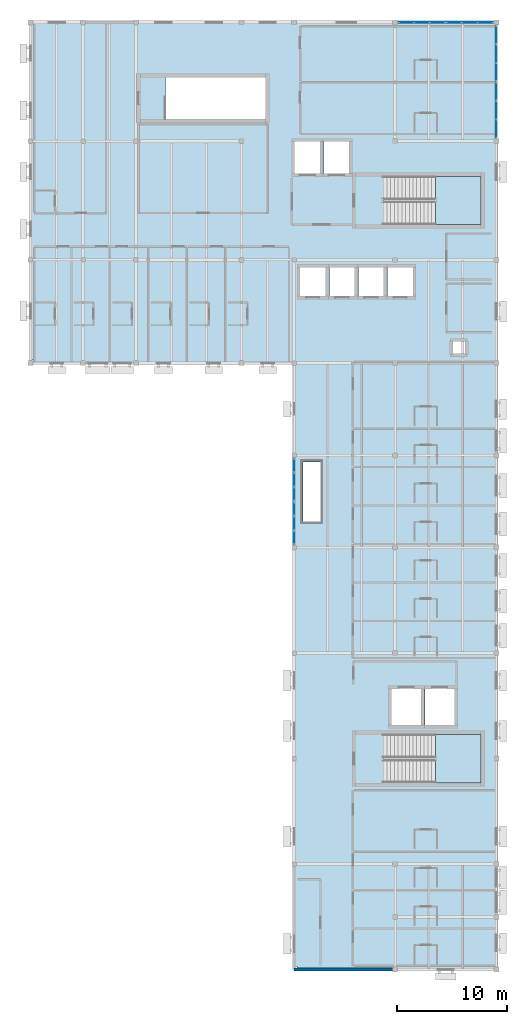
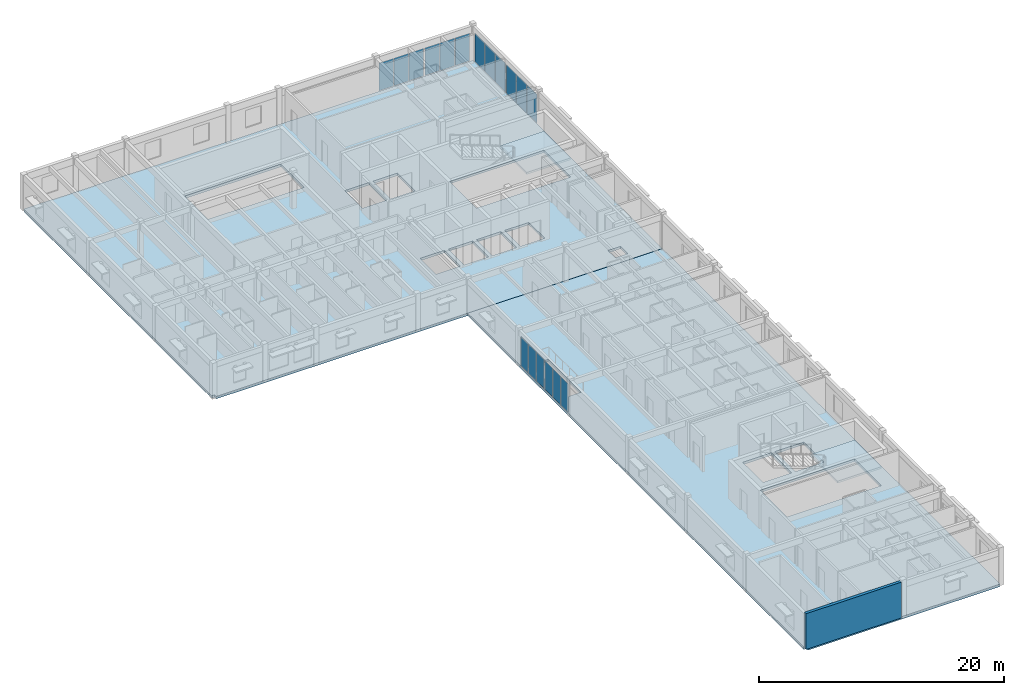
# One storey, part 5 of 17: 18 plates, 4 slabs, 1 wall, 8 elements without a shape of their own.
"""IFC4 building model written with IfcOpenShell, lengths in metres."""

from ifc_helpers import new_model, si_unit, direction, frame, frame_2d, origin, origin_2d, place, context, subcontext, project, spatial, polyline, rectangle, outline, extrude, material, layer, layer_set, type_object, element, aggregate, save


model = new_model("IFC4")

# Units and contexts
model_context = context("Model", 3, precision=1e-05, world=origin(), true_north=direction((0.0, 1.0)))
body_context = subcontext(model_context, "Body", "Model", "MODEL_VIEW")
ifc_project = project(units=[si_unit("LENGTHUNIT", "METRE"), si_unit("AREAUNIT", "SQUARE_METRE"), si_unit("VOLUMEUNIT", "CUBIC_METRE"), si_unit("PLANEANGLEUNIT", "RADIAN"), si_unit("MASSUNIT", "GRAM", prefix="KILO")], contexts=[model_context])

# Site, building, storey
site_placement = place(None, origin())
site = spatial("IfcSite", under=ifc_project, at=site_placement, CompositionType="ELEMENT")
building_placement = place(site_placement, origin())
building = spatial("IfcBuilding", under=site, at=building_placement, Name="Veldera Park Congress Hotel", CompositionType="ELEMENT")
storey_placement = place(building_placement, frame((0.0, 0.0, 35.199951171875)))
storey = spatial("IfcBuildingStorey", under=building, at=storey_placement, Name="L08", CompositionType="ELEMENT", Elevation=35.199951171875)

# Curtain wall, plates
ifc_material_1 = material(Name="Low-E Triple Insulating Glass Unit (SHGC 0.22)", Category="glass")
curtain_wall_type = type_object("IfcCurtainWallType", Name="CW-HTL", PredefinedType="NOTDEFINED", material=ifc_material_1)
curtain_wall_1_placement = place(storey_placement, origin())
curtain_wall_1 = element("IfcCurtainWall", 1, at=curtain_wall_1_placement, inside=storey, type_object=curtain_wall_type, Name="L08 Curtain Wall CW3-HTLNE-L08-116", PredefinedType="NOTDEFINED")
ifc_layer_1 = layer(ifc_material_1, 0.028076171875)
ifc_layer_set_1 = layer_set([ifc_layer_1], Name="Low-E Triple Insulating Glass Unit (SHGC 0.22)")
plate_type = type_object("IfcPlateType", Name="CWP-IGU28", PredefinedType="CURTAIN_PANEL", material=ifc_layer_set_1)
plate_1_placement = place(storey_placement, frame((84.0, 48.333251953125, 0.06005859375), z_axis=(0.0, 0.0, 1.0), x_axis=(0.0, 1.0, 0.0)))
plate_1 = element("IfcPlate", 2, at=plate_1_placement, type_object=plate_type, Name="CW-HTL panel 1.1", PredefinedType="CURTAIN_PANEL", context=body_context, shape_type="SweptSolid", body=[
    extrude(rectangle(XDim=1.61669921875, YDim=0.028076171875, at=origin_2d()), origin(), (0.0, 0.0, 1.0), 2.860107421875),
])
plate_2_placement = place(storey_placement, frame((84.0, 50.02490234375, 0.06005859375), z_axis=(0.0, 0.0, 1.0), x_axis=(0.0, 1.0, 0.0)))
plate_2 = element("IfcPlate", 3, at=plate_2_placement, type_object=plate_type, Name="CW-HTL panel 2.1", PredefinedType="CURTAIN_PANEL", context=body_context, shape_type="SweptSolid", body=[
    extrude(rectangle(XDim=1.646728515625, YDim=0.028076171875, at=origin_2d()), origin(), (0.0, 0.0, 1.0), 2.860107421875),
])
plate_3_placement = place(storey_placement, frame((84.0, 51.716552734375, 0.06005859375), z_axis=(0.0, 0.0, 1.0), x_axis=(0.0, 1.0, 0.0)))
plate_3 = element("IfcPlate", 4, at=plate_3_placement, type_object=plate_type, Name="CW-HTL panel 3.1", PredefinedType="CURTAIN_PANEL", context=body_context, shape_type="SweptSolid", body=[
    extrude(rectangle(XDim=1.61669921875, YDim=0.028076171875, at=origin_2d()), origin(), (0.0, 0.0, 1.0), 2.860107421875),
])
aggregate(curtain_wall_1, [plate_1, plate_2, plate_3])

curtain_wall_2_placement = place(storey_placement, origin())
curtain_wall_2 = element("IfcCurtainWall", 5, at=curtain_wall_2_placement, inside=storey, type_object=curtain_wall_type, Name="L08 Curtain Wall CW3-HTLNE-L08-117", PredefinedType="NOTDEFINED")
plate_4_placement = place(storey_placement, frame((84.0, 53.4833984375, 0.06005859375), z_axis=(0.0, 0.0, 1.0), x_axis=(0.0, 1.0, 0.0)))
plate_4 = element("IfcPlate", 6, at=plate_4_placement, type_object=plate_type, Name="CW-HTL panel 1.1", PredefinedType="CURTAIN_PANEL", context=body_context, shape_type="SweptSolid", body=[
    extrude(rectangle(XDim=1.61669921875, YDim=0.028076171875, at=origin_2d()), origin(), (0.0, 0.0, 1.0), 2.860107421875),
])
plate_5_placement = place(storey_placement, frame((84.0, 55.175048828125, 0.06005859375), z_axis=(0.0, 0.0, 1.0), x_axis=(0.0, 1.0, 0.0)))
plate_5 = element("IfcPlate", 7, at=plate_5_placement, type_object=plate_type, Name="CW-HTL panel 2.1", PredefinedType="CURTAIN_PANEL", context=body_context, shape_type="SweptSolid", body=[
    extrude(rectangle(XDim=1.646728515625, YDim=0.028076171875, at=origin_2d()), origin(), (0.0, 0.0, 1.0), 2.860107421875),
])
plate_6_placement = place(storey_placement, frame((84.0, 56.86669921875, 0.06005859375), z_axis=(0.0, 0.0, 1.0), x_axis=(0.0, 1.0, 0.0)))
plate_6 = element("IfcPlate", 8, at=plate_6_placement, type_object=plate_type, Name="CW-HTL panel 3.1", PredefinedType="CURTAIN_PANEL", context=body_context, shape_type="SweptSolid", body=[
    extrude(rectangle(XDim=1.61669921875, YDim=0.028076171875, at=origin_2d()), origin(), (0.0, 0.0, 1.0), 2.860107421875),
])
aggregate(curtain_wall_2, [plate_4, plate_5, plate_6])

curtain_wall_3_placement = place(storey_placement, origin())
curtain_wall_3 = element("IfcCurtainWall", 9, at=curtain_wall_3_placement, inside=storey, type_object=curtain_wall_type, Name="L08 Curtain Wall CW3-HTLNN-L08-118", PredefinedType="NOTDEFINED")
plate_7_placement = place(storey_placement, frame((83.0, 58.0, 0.06005859375), z_axis=(0.0, 0.0, 1.0), x_axis=(-1.0, 0.0, 0.0)))
plate_7 = element("IfcPlate", 10, at=plate_7_placement, type_object=plate_type, Name="CW-HTL panel 1.1", PredefinedType="CURTAIN_PANEL", context=body_context, shape_type="SweptSolid", body=[
    extrude(rectangle(XDim=1.35009765625, YDim=0.028076171875, at=origin_2d()), origin(), (0.0, 0.0, 1.0), 2.760009765625),
])
plate_8_placement = place(storey_placement, frame((81.574951171875, 58.0, 0.06005859375), z_axis=(0.0, 0.0, 1.0), x_axis=(-1.0, 0.0, 0.0)))
plate_8 = element("IfcPlate", 11, at=plate_8_placement, type_object=plate_type, Name="CW-HTL panel 2.1", PredefinedType="CURTAIN_PANEL", context=body_context, shape_type="SweptSolid", body=[
    extrude(rectangle(XDim=1.3798828125, YDim=0.028076171875, at=origin_2d()), origin(), (0.0, 0.0, 1.0), 2.760009765625),
])
plate_9_placement = place(storey_placement, frame((80.14990234375, 58.0, 0.06005859375), z_axis=(0.0, 0.0, 1.0), x_axis=(-1.0, 0.0, 0.0)))
plate_9 = element("IfcPlate", 12, at=plate_9_placement, type_object=plate_type, Name="CW-HTL panel 3.1", PredefinedType="CURTAIN_PANEL", context=body_context, shape_type="SweptSolid", body=[
    extrude(rectangle(XDim=1.35009765625, YDim=0.028076171875, at=origin_2d()), origin(), (0.0, 0.0, 1.0), 2.760009765625),
])
aggregate(curtain_wall_3, [plate_7, plate_8, plate_9])

curtain_wall_4_placement = place(storey_placement, origin())
curtain_wall_4 = element("IfcCurtainWall", 13, at=curtain_wall_4_placement, inside=storey, type_object=curtain_wall_type, Name="L08 Curtain Wall CW3-HTLNN-L08-119", PredefinedType="NOTDEFINED")
plate_10_placement = place(storey_placement, frame((78.64990234375, 58.0, 0.06005859375), z_axis=(0.0, 0.0, 1.0), x_axis=(-1.0, 0.0, 0.0)))
plate_10 = element("IfcPlate", 14, at=plate_10_placement, type_object=plate_type, Name="CW-HTL panel 1.1", PredefinedType="CURTAIN_PANEL", context=body_context, shape_type="SweptSolid", body=[
    extrude(rectangle(XDim=1.35009765625, YDim=0.028076171875, at=origin_2d()), origin(), (0.0, 0.0, 1.0), 2.760009765625),
])
plate_11_placement = place(storey_placement, frame((77.22509765625, 58.0, 0.06005859375), z_axis=(0.0, 0.0, 1.0), x_axis=(-1.0, 0.0, 0.0)))
plate_11 = element("IfcPlate", 15, at=plate_11_placement, type_object=plate_type, Name="CW-HTL panel 2.1", PredefinedType="CURTAIN_PANEL", context=body_context, shape_type="SweptSolid", body=[
    extrude(rectangle(XDim=1.3798828125, YDim=0.028076171875, at=origin_2d()), origin(), (0.0, 0.0, 1.0), 2.760009765625),
])
plate_12_placement = place(storey_placement, frame((75.800048828125, 58.0, 0.06005859375), z_axis=(0.0, 0.0, 1.0), x_axis=(-1.0, 0.0, 0.0)))
plate_12 = element("IfcPlate", 16, at=plate_12_placement, type_object=plate_type, Name="CW-HTL panel 3.1", PredefinedType="CURTAIN_PANEL", context=body_context, shape_type="SweptSolid", body=[
    extrude(rectangle(XDim=1.35009765625, YDim=0.028076171875, at=origin_2d()), origin(), (0.0, 0.0, 1.0), 2.760009765625),
])
aggregate(curtain_wall_4, [plate_10, plate_11, plate_12])

curtain_wall_5_placement = place(storey_placement, origin())
curtain_wall_5 = element("IfcCurtainWall", 17, at=curtain_wall_5_placement, inside=storey, type_object=curtain_wall_type, Name="L08 Curtain Wall CW3-HTLW-L08-120", PredefinedType="NOTDEFINED")
plate_13_placement = place(storey_placement, frame((65.60009765625, 17.675537109375, 0.074951171875), z_axis=(0.0, 0.0, 1.0), x_axis=(0.0, -1.0, 0.0)))
plate_13 = element("IfcPlate", 18, at=plate_13_placement, type_object=plate_type, Name="CW-HTL panel 1.1", PredefinedType="CURTAIN_PANEL", context=body_context, shape_type="SweptSolid", body=[
    extrude(rectangle(XDim=1.19921875, YDim=0.028076171875, at=origin_2d()), origin(), (0.0, 0.0, 1.0), 2.8701171875),
])
plate_14_placement = place(storey_placement, frame((65.60009765625, 16.382568359375, 0.074951171875), z_axis=(0.0, 0.0, 1.0), x_axis=(0.0, -1.0, 0.0)))
plate_14 = element("IfcPlate", 19, at=plate_14_placement, type_object=plate_type, Name="CW-HTL panel 2.1", PredefinedType="CURTAIN_PANEL", context=body_context, shape_type="SweptSolid", body=[
    extrude(rectangle(XDim=1.236572265625, YDim=0.028076171875, at=origin_2d()), origin(), (0.0, 0.0, 1.0), 2.8701171875),
])
plate_15_placement = place(storey_placement, frame((65.60009765625, 15.089599609375, 0.074951171875), z_axis=(0.0, 0.0, 1.0), x_axis=(0.0, -1.0, 0.0)))
plate_15 = element("IfcPlate", 20, at=plate_15_placement, type_object=plate_type, Name="CW-HTL panel 3.1", PredefinedType="CURTAIN_PANEL", context=body_context, shape_type="SweptSolid", body=[
    extrude(rectangle(XDim=1.19921875, YDim=0.028076171875, at=origin_2d()), origin(), (0.0, 0.0, 1.0), 2.8701171875),
])
aggregate(curtain_wall_5, [plate_13, plate_14, plate_15])

curtain_wall_6_placement = place(storey_placement, origin())
curtain_wall_6 = element("IfcCurtainWall", 21, at=curtain_wall_6_placement, inside=storey, type_object=curtain_wall_type, Name="L08 Curtain Wall CW3-HTLW-L08-121", PredefinedType="NOTDEFINED")
plate_16_placement = place(storey_placement, frame((65.60009765625, 13.71044921875, 0.074951171875), z_axis=(0.0, 0.0, 1.0), x_axis=(0.0, -1.0, 0.0)))
plate_16 = element("IfcPlate", 22, at=plate_16_placement, type_object=plate_type, Name="CW-HTL panel 1.1", PredefinedType="CURTAIN_PANEL", context=body_context, shape_type="SweptSolid", body=[
    extrude(rectangle(XDim=1.19921875, YDim=0.028076171875, at=origin_2d()), origin(), (0.0, 0.0, 1.0), 2.8701171875),
])
plate_17_placement = place(storey_placement, frame((65.60009765625, 12.41748046875, 0.074951171875), z_axis=(0.0, 0.0, 1.0), x_axis=(0.0, -1.0, 0.0)))
plate_17 = element("IfcPlate", 23, at=plate_17_placement, type_object=plate_type, Name="CW-HTL panel 2.1", PredefinedType="CURTAIN_PANEL", context=body_context, shape_type="SweptSolid", body=[
    extrude(rectangle(XDim=1.236572265625, YDim=0.028076171875, at=origin_2d()), origin(), (0.0, 0.0, 1.0), 2.8701171875),
])
plate_18_placement = place(storey_placement, frame((65.60009765625, 11.12451171875, 0.074951171875), z_axis=(0.0, 0.0, 1.0), x_axis=(0.0, -1.0, 0.0)))
plate_18 = element("IfcPlate", 24, at=plate_18_placement, type_object=plate_type, Name="CW-HTL panel 3.1", PredefinedType="CURTAIN_PANEL", context=body_context, shape_type="SweptSolid", body=[
    extrude(rectangle(XDim=1.19921875, YDim=0.028076171875, at=origin_2d()), origin(), (0.0, 0.0, 1.0), 2.8701171875),
])
aggregate(curtain_wall_6, [plate_16, plate_17, plate_18])

# Slabs
ifc_material_2 = material(Name="Cross-laminated timber CLT V2M1.1", Category="wood")
ifc_layer_2 = layer(ifc_material_2, 0.2451171875)
ifc_layer_set_2 = layer_set([ifc_layer_2], Name="Cross-laminated timber CLT V2M1.1")
slab_type_1 = type_object("IfcSlabType", Name="SLB-CLT245", PredefinedType="FLOOR", material=ifc_layer_set_2)
slab_1_placement = place(storey_placement, frame((0.0, 0.0, -0.244873046875)))
element("IfcSlab", 25, at=slab_1_placement, inside=storey, type_object=slab_type_1, Name="L08 Hotel East Wing CLT Floor Deck SLB-L08-V4E", PredefinedType="FLOOR", context=body_context, shape_type="SweptSolid", body=[
    extrude(outline(polyline([(65.60009765625, -27.93994140625), (65.860107421875, -27.93994140625), (65.860107421875, -28.199951171875), (84.0, -28.199951171875), (84.0, 27.0), (65.60009765625, 27.0), (65.60009765625, -27.93994140625)]), holes=[polyline([(73.715087890625, -11.199951171875), (82.60009765625, -11.199951171875), (82.60009765625, -6.800048828125), (73.715087890625, -6.800048828125), (73.715087890625, -11.199951171875)]), polyline([(74.449951171875, -5.949951171875), (77.14990234375, -5.949951171875), (77.14990234375, -2.64990234375), (74.449951171875, -2.64990234375), (74.449951171875, -5.949951171875)]), polyline([(77.5, -5.949951171875), (80.199951171875, -5.949951171875), (80.199951171875, -2.64990234375), (77.5, -2.64990234375), (77.5, -5.949951171875)]), polyline([(66.39990234375, 12.60009765625), (68.0, 12.60009765625), (68.0, 18.0), (66.39990234375, 18.0), (66.39990234375, 12.60009765625)])]), origin(), (0.0, 0.0, 1.0), 0.244873046875),
])
slab_2_placement = place(storey_placement, frame((0.0, 0.0, -0.244873046875)))
element("IfcSlab", 26, at=slab_2_placement, inside=storey, type_object=slab_type_1, Name="L08 Hotel North Wing CLT Floor Deck SLB-L08-V4N", PredefinedType="FLOOR", context=body_context, shape_type="SweptSolid", body=[
    extrude(outline(polyline([(41.60009765625, 27.260009765625), (41.860107421875, 27.260009765625), (41.860107421875, 27.0), (84.0, 27.0), (84.0, 58.0), (41.60009765625, 58.0), (41.60009765625, 27.260009765625)]), holes=[polyline([(73.715087890625, 39.60009765625), (82.60009765625, 39.60009765625), (82.60009765625, 44.0), (73.715087890625, 44.0), (73.715087890625, 39.60009765625)]), polyline([(53.9150390625, 49.199951171875), (63.0, 49.199951171875), (63.0, 53.0), (53.9150390625, 53.0), (53.9150390625, 49.199951171875)]), polyline([(65.64990234375, 44.25), (67.949951171875, 44.25), (67.949951171875, 47.14990234375), (65.64990234375, 47.14990234375), (65.64990234375, 44.25)]), polyline([(68.300048828125, 44.25), (70.60009765625, 44.25), (70.60009765625, 47.14990234375), (68.300048828125, 47.14990234375), (68.300048828125, 44.25)]), polyline([(66.14990234375, 33.10009765625), (68.449951171875, 33.10009765625), (68.449951171875, 35.699951171875), (66.14990234375, 35.699951171875), (66.14990234375, 33.10009765625)]), polyline([(68.800048828125, 33.10009765625), (71.10009765625, 33.10009765625), (71.10009765625, 35.699951171875), (68.800048828125, 35.699951171875), (68.800048828125, 33.10009765625)]), polyline([(71.449951171875, 33.10009765625), (73.75, 33.10009765625), (73.75, 35.699951171875), (71.449951171875, 35.699951171875), (71.449951171875, 33.10009765625)]), polyline([(74.10009765625, 33.10009765625), (76.39990234375, 33.10009765625), (76.39990234375, 35.699951171875), (74.10009765625, 35.699951171875), (74.10009765625, 33.10009765625)]), polyline([(80.0, 27.800048828125), (81.199951171875, 27.800048828125), (81.199951171875, 29.0), (80.0, 29.0), (80.0, 27.800048828125)])]), origin(), (0.0, 0.0, 1.0), 0.244873046875),
])

# Stair, slab
ifc_material_3 = material(Name="Concrete f'c 40 MPa (5,800 psi)", Category="concrete")
stair_type_1 = type_object("IfcStairType", Name="ST1", PredefinedType="HALF_TURN_STAIR", material=ifc_material_3)
stair_1_placement = place(storey_placement, origin())
stair_1 = element("IfcStair", 27, at=stair_1_placement, inside=storey, type_object=stair_type_1, Name="L08 Protected Exit Stair ST1", PredefinedType="HALF_TURN_STAIR")
ifc_layer_3 = layer(ifc_material_3, 0.199951171875)
ifc_layer_set_3 = layer_set([ifc_layer_3], Name="Concrete f'c 40 MPa (5,800 psi)")
slab_type_2 = type_object("IfcSlabType", Name="SLD-ST1", PredefinedType="LANDING", material=ifc_layer_set_3)
slab_3_placement = place(storey_placement, frame((0.0, 0.0, 1.699951171875)))
slab_3 = element("IfcSlab", 28, at=slab_3_placement, type_object=slab_type_2, Name="ST1 landing 1", PredefinedType="LANDING", context=body_context, shape_type="SweptSolid", body=[
    extrude(outline(polyline([(78.445068359375, 39.60009765625), (82.60009765625, 39.60009765625), (82.60009765625, 44.0), (78.445068359375, 44.0), (78.445068359375, 39.60009765625)])), origin(), (0.0, 0.0, 1.0), 0.2001953125),
])
aggregate(stair_1, [slab_3])

stair_type_2 = type_object("IfcStairType", Name="ST2", PredefinedType="HALF_TURN_STAIR", material=ifc_material_3)
stair_2_placement = place(storey_placement, origin())
stair_2 = element("IfcStair", 29, at=stair_2_placement, inside=storey, type_object=stair_type_2, Name="L08 Protected Exit Stair ST2", PredefinedType="HALF_TURN_STAIR")
ifc_layer_4 = layer(ifc_material_3, 0.199951171875)
ifc_layer_set_4 = layer_set([ifc_layer_4], Name="Concrete f'c 40 MPa (5,800 psi)")
slab_type_3 = type_object("IfcSlabType", Name="SLD-ST2", PredefinedType="LANDING", material=ifc_layer_set_4)
slab_4_placement = place(storey_placement, frame((0.0, 0.0, 1.699951171875)))
slab_4 = element("IfcSlab", 30, at=slab_4_placement, type_object=slab_type_3, Name="ST2 landing 1", PredefinedType="LANDING", context=body_context, shape_type="SweptSolid", body=[
    extrude(outline(polyline([(78.445068359375, -11.199951171875), (82.60009765625, -11.199951171875), (82.60009765625, -6.800048828125), (78.445068359375, -6.800048828125), (78.445068359375, -11.199951171875)])), origin(), (0.0, 0.0, 1.0), 0.2001953125),
])
aggregate(stair_2, [slab_4])

# Wall
ifc_layer_5 = layer(ifc_material_2, 0.280029296875)
ifc_layer_set_5 = layer_set([ifc_layer_5], Name="Cross-laminated timber CLT V2M1.1")
wall_type = type_object("IfcWallType", Name="EW-CLT280", PredefinedType="STANDARD", material=ifc_layer_set_5)
wall_placement = place(storey_placement, frame((65.60009765625, -28.199951171875, 0.0), z_axis=(0.0, 0.0, 1.0), x_axis=(1.0, 0.0, 0.0)))
element("IfcWall", 31, at=wall_placement, inside=storey, type_object=wall_type, Name="L08 Exterior Wall EW3-L08-0369", PredefinedType="STANDARD", context=body_context, shape_type="SweptSolid", body=[
    extrude(rectangle(XDim=8.976806640625, YDim=0.280029296875, at=frame_2d((4.48828125, 0.0))), origin(), (0.0, 0.0, 1.0), 3.56494140625),
])

save(model, "model.ifc")
